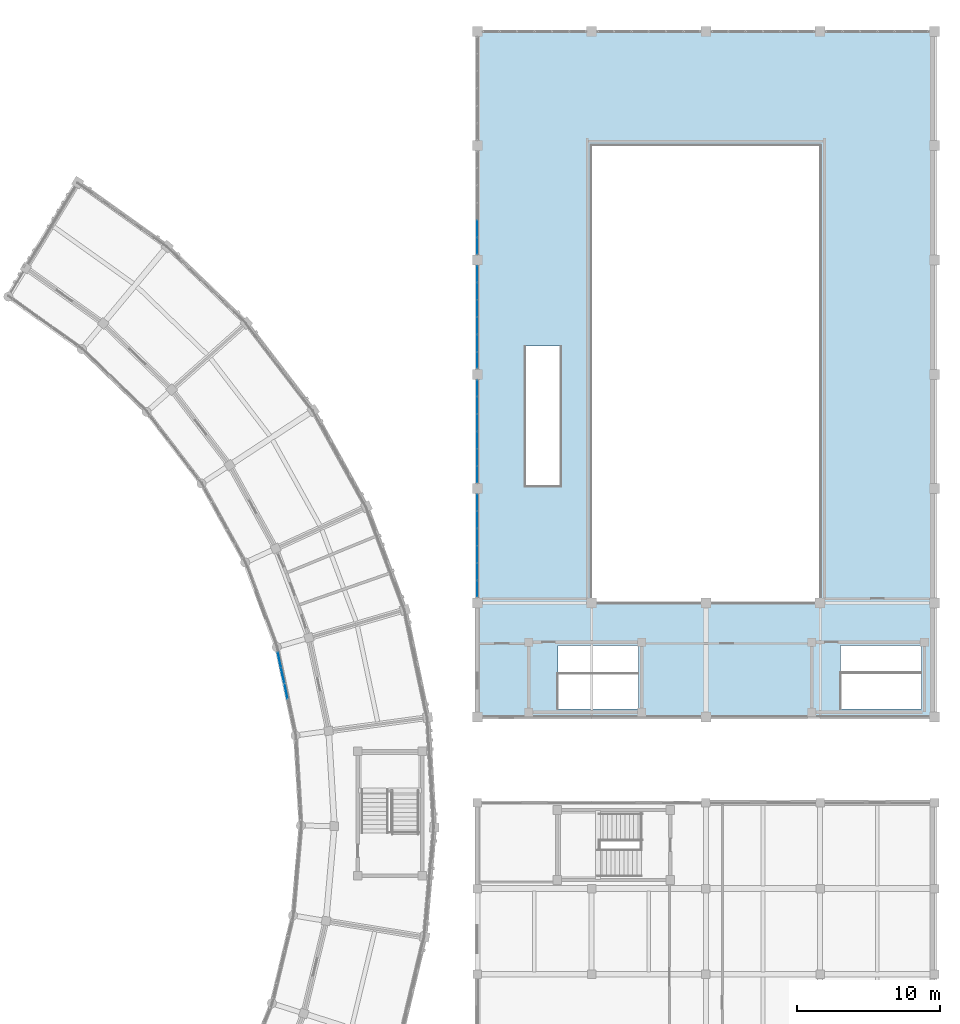
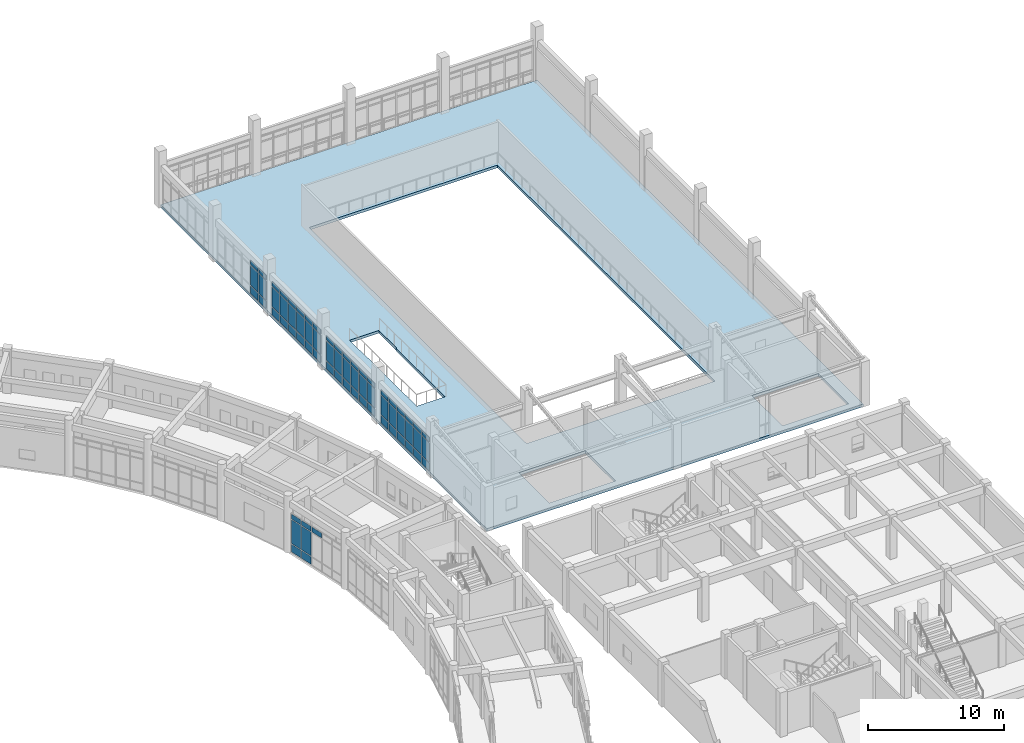
# One storey, part 113 of 159: 67 plates, 1 slab, 5 elements without a shape of their own.
"""IFC4 building model written with IfcOpenShell, lengths in metres."""

from ifc_helpers import new_model, si_unit, direction, frame, origin, origin_2d, place, context, subcontext, project, spatial, polyline, rectangle, outline, extrude, material, layer, layer_set, type_object, element, aggregate, save


model = new_model("IFC4")

# Units and contexts
model_context = context("Model", 3, precision=1e-05, world=origin(), true_north=direction((0.0, 1.0)))
body_context = subcontext(model_context, "Body", "Model", "MODEL_VIEW")
ifc_project = project(units=[si_unit("LENGTHUNIT", "METRE"), si_unit("AREAUNIT", "SQUARE_METRE"), si_unit("VOLUMEUNIT", "CUBIC_METRE"), si_unit("PLANEANGLEUNIT", "RADIAN"), si_unit("MASSUNIT", "GRAM", prefix="KILO")], contexts=[model_context])

# Site, building, storey
site_placement = place(None, origin())
site = spatial("IfcSite", under=ifc_project, at=site_placement, CompositionType="ELEMENT")
building_placement = place(site_placement, origin())
building = spatial("IfcBuilding", under=site, at=building_placement, Name="Celadon Cloister-Ring School", CompositionType="ELEMENT")
storey_placement = place(building_placement, frame((0.0, 0.0, 4.5)))
storey = spatial("IfcBuildingStorey", under=building, at=storey_placement, Name="L01", CompositionType="ELEMENT", Elevation=4.5)

# Curtain wall, plates
ifc_material_1 = material(Name="Aluminium EN AW-6063 T6", Category="aluminium")
curtain_wall_type_1 = type_object("IfcCurtainWallType", Name="CW-09", PredefinedType="USERDEFINED", material=ifc_material_1)
curtain_wall_1_placement = place(storey_placement, origin())
curtain_wall_1 = element("IfcCurtainWall", 1, at=curtain_wall_1_placement, inside=storey, type_object=curtain_wall_type_1, Name="Curtain Wall 0184", ObjectType="CURTAIN WALL", PredefinedType="USERDEFINED")
ifc_material_2 = material(Name="Tempered laminated insulating glass", Category="glass")
ifc_layer_1 = layer(ifc_material_2, 0.02001953125)
ifc_layer_set_1 = layer_set([ifc_layer_1], Name="Tempered laminated insulating glass")
plate_type_1 = type_object("IfcPlateType", Name="CPN-01", PredefinedType="CURTAIN_PANEL", material=ifc_layer_set_1)
plate_1_placement = place(storey_placement, frame((142.0, 74.982177734375, 0.090087890625), z_axis=(0.0, 0.0, 1.0), x_axis=(0.0, 1.0, 0.0)))
plate_1 = element("IfcPlate", 2, at=plate_1_placement, type_object=plate_type_1, Name="CW-09 panel 1.1", PredefinedType="CURTAIN_PANEL", context=body_context, shape_type="SweptSolid", body=[
    extrude(rectangle(XDim=1.07421875, YDim=0.02001953125, at=origin_2d()), origin(), (0.0, 0.0, 1.0), 0.6650390625),
])
plate_2_placement = place(storey_placement, frame((142.0, 74.982177734375, 0.844970703125), z_axis=(0.0, 0.0, 1.0), x_axis=(0.0, 1.0, 0.0)))
plate_2 = element("IfcPlate", 3, at=plate_2_placement, type_object=plate_type_1, Name="CW-09 panel 1.2", PredefinedType="CURTAIN_PANEL", context=body_context, shape_type="SweptSolid", body=[
    extrude(rectangle(XDim=1.07421875, YDim=0.02001953125, at=origin_2d()), origin(), (0.0, 0.0, 1.0), 1.73193359375),
])
plate_3_placement = place(storey_placement, frame((142.0, 74.982177734375, 2.6669921875), z_axis=(0.0, 0.0, 1.0), x_axis=(0.0, 1.0, 0.0)))
plate_3 = element("IfcPlate", 4, at=plate_3_placement, type_object=plate_type_1, Name="CW-09 panel 1.3", PredefinedType="CURTAIN_PANEL", context=body_context, shape_type="SweptSolid", body=[
    extrude(rectangle(XDim=1.07421875, YDim=0.02001953125, at=origin_2d()), origin(), (0.0, 0.0, 1.0), 0.4150390625),
])
plate_4_placement = place(storey_placement, frame((142.0, 76.175048828125, 0.090087890625), z_axis=(0.0, 0.0, 1.0), x_axis=(0.0, 1.0, 0.0)))
plate_4 = element("IfcPlate", 5, at=plate_4_placement, type_object=plate_type_1, Name="CW-09 panel 2.1", PredefinedType="CURTAIN_PANEL", context=body_context, shape_type="SweptSolid", body=[
    extrude(rectangle(XDim=1.12158203125, YDim=0.02001953125, at=origin_2d()), origin(), (0.0, 0.0, 1.0), 0.6650390625),
])
plate_5_placement = place(storey_placement, frame((142.0, 76.175048828125, 0.844970703125), z_axis=(0.0, 0.0, 1.0), x_axis=(0.0, 1.0, 0.0)))
plate_5 = element("IfcPlate", 6, at=plate_5_placement, type_object=plate_type_1, Name="CW-09 panel 2.2", PredefinedType="CURTAIN_PANEL", context=body_context, shape_type="SweptSolid", body=[
    extrude(rectangle(XDim=1.12158203125, YDim=0.02001953125, at=origin_2d()), origin(), (0.0, 0.0, 1.0), 1.73193359375),
])
plate_6_placement = place(storey_placement, frame((142.0, 76.175048828125, 2.6669921875), z_axis=(0.0, 0.0, 1.0), x_axis=(0.0, 1.0, 0.0)))
plate_6 = element("IfcPlate", 7, at=plate_6_placement, type_object=plate_type_1, Name="CW-09 panel 2.3", PredefinedType="CURTAIN_PANEL", context=body_context, shape_type="SweptSolid", body=[
    extrude(rectangle(XDim=1.12158203125, YDim=0.02001953125, at=origin_2d()), origin(), (0.0, 0.0, 1.0), 0.4150390625),
])
plate_7_placement = place(storey_placement, frame((142.0, 77.3916015625, 0.090087890625), z_axis=(0.0, 0.0, 1.0), x_axis=(0.0, 1.0, 0.0)))
plate_7 = element("IfcPlate", 8, at=plate_7_placement, type_object=plate_type_1, Name="CW-09 panel 3.1", PredefinedType="CURTAIN_PANEL", context=body_context, shape_type="SweptSolid", body=[
    extrude(rectangle(XDim=1.12158203125, YDim=0.02001953125, at=origin_2d()), origin(), (0.0, 0.0, 1.0), 0.6650390625),
])
plate_8_placement = place(storey_placement, frame((142.0, 77.3916015625, 0.844970703125), z_axis=(0.0, 0.0, 1.0), x_axis=(0.0, 1.0, 0.0)))
plate_8 = element("IfcPlate", 9, at=plate_8_placement, type_object=plate_type_1, Name="CW-09 panel 3.2", PredefinedType="CURTAIN_PANEL", context=body_context, shape_type="SweptSolid", body=[
    extrude(rectangle(XDim=1.12158203125, YDim=0.02001953125, at=origin_2d()), origin(), (0.0, 0.0, 1.0), 1.73193359375),
])
plate_9_placement = place(storey_placement, frame((142.0, 77.3916015625, 2.6669921875), z_axis=(0.0, 0.0, 1.0), x_axis=(0.0, 1.0, 0.0)))
plate_9 = element("IfcPlate", 10, at=plate_9_placement, type_object=plate_type_1, Name="CW-09 panel 3.3", PredefinedType="CURTAIN_PANEL", context=body_context, shape_type="SweptSolid", body=[
    extrude(rectangle(XDim=1.12158203125, YDim=0.02001953125, at=origin_2d()), origin(), (0.0, 0.0, 1.0), 0.4150390625),
])
plate_10_placement = place(storey_placement, frame((142.0, 78.6083984375, 0.090087890625), z_axis=(0.0, 0.0, 1.0), x_axis=(0.0, 1.0, 0.0)))
plate_10 = element("IfcPlate", 11, at=plate_10_placement, type_object=plate_type_1, Name="CW-09 panel 4.1", PredefinedType="CURTAIN_PANEL", context=body_context, shape_type="SweptSolid", body=[
    extrude(rectangle(XDim=1.12158203125, YDim=0.02001953125, at=origin_2d()), origin(), (0.0, 0.0, 1.0), 0.6650390625),
])
plate_11_placement = place(storey_placement, frame((142.0, 78.6083984375, 0.844970703125), z_axis=(0.0, 0.0, 1.0), x_axis=(0.0, 1.0, 0.0)))
plate_11 = element("IfcPlate", 12, at=plate_11_placement, type_object=plate_type_1, Name="CW-09 panel 4.2", PredefinedType="CURTAIN_PANEL", context=body_context, shape_type="SweptSolid", body=[
    extrude(rectangle(XDim=1.12158203125, YDim=0.02001953125, at=origin_2d()), origin(), (0.0, 0.0, 1.0), 1.73193359375),
])
plate_12_placement = place(storey_placement, frame((142.0, 78.6083984375, 2.6669921875), z_axis=(0.0, 0.0, 1.0), x_axis=(0.0, 1.0, 0.0)))
plate_12 = element("IfcPlate", 13, at=plate_12_placement, type_object=plate_type_1, Name="CW-09 panel 4.3", PredefinedType="CURTAIN_PANEL", context=body_context, shape_type="SweptSolid", body=[
    extrude(rectangle(XDim=1.12158203125, YDim=0.02001953125, at=origin_2d()), origin(), (0.0, 0.0, 1.0), 0.4150390625),
])
plate_13_placement = place(storey_placement, frame((142.0, 79.824951171875, 0.090087890625), z_axis=(0.0, 0.0, 1.0), x_axis=(0.0, 1.0, 0.0)))
plate_13 = element("IfcPlate", 14, at=plate_13_placement, type_object=plate_type_1, Name="CW-09 panel 5.1", PredefinedType="CURTAIN_PANEL", context=body_context, shape_type="SweptSolid", body=[
    extrude(rectangle(XDim=1.12158203125, YDim=0.02001953125, at=origin_2d()), origin(), (0.0, 0.0, 1.0), 0.6650390625),
])
plate_14_placement = place(storey_placement, frame((142.0, 79.824951171875, 0.844970703125), z_axis=(0.0, 0.0, 1.0), x_axis=(0.0, 1.0, 0.0)))
plate_14 = element("IfcPlate", 15, at=plate_14_placement, type_object=plate_type_1, Name="CW-09 panel 5.2", PredefinedType="CURTAIN_PANEL", context=body_context, shape_type="SweptSolid", body=[
    extrude(rectangle(XDim=1.12158203125, YDim=0.02001953125, at=origin_2d()), origin(), (0.0, 0.0, 1.0), 1.73193359375),
])
plate_15_placement = place(storey_placement, frame((142.0, 79.824951171875, 2.6669921875), z_axis=(0.0, 0.0, 1.0), x_axis=(0.0, 1.0, 0.0)))
plate_15 = element("IfcPlate", 16, at=plate_15_placement, type_object=plate_type_1, Name="CW-09 panel 5.3", PredefinedType="CURTAIN_PANEL", context=body_context, shape_type="SweptSolid", body=[
    extrude(rectangle(XDim=1.12158203125, YDim=0.02001953125, at=origin_2d()), origin(), (0.0, 0.0, 1.0), 0.4150390625),
])
plate_16_placement = place(storey_placement, frame((142.0, 81.017822265625, 0.090087890625), z_axis=(0.0, 0.0, 1.0), x_axis=(0.0, 1.0, 0.0)))
plate_16 = element("IfcPlate", 17, at=plate_16_placement, type_object=plate_type_1, Name="CW-09 panel 6.1", PredefinedType="CURTAIN_PANEL", context=body_context, shape_type="SweptSolid", body=[
    extrude(rectangle(XDim=1.07421875, YDim=0.02001953125, at=origin_2d()), origin(), (0.0, 0.0, 1.0), 0.6650390625),
])
plate_17_placement = place(storey_placement, frame((142.0, 81.017822265625, 0.844970703125), z_axis=(0.0, 0.0, 1.0), x_axis=(0.0, 1.0, 0.0)))
plate_17 = element("IfcPlate", 18, at=plate_17_placement, type_object=plate_type_1, Name="CW-09 panel 6.2", PredefinedType="CURTAIN_PANEL", context=body_context, shape_type="SweptSolid", body=[
    extrude(rectangle(XDim=1.07421875, YDim=0.02001953125, at=origin_2d()), origin(), (0.0, 0.0, 1.0), 1.73193359375),
])
plate_18_placement = place(storey_placement, frame((142.0, 81.017822265625, 2.6669921875), z_axis=(0.0, 0.0, 1.0), x_axis=(0.0, 1.0, 0.0)))
plate_18 = element("IfcPlate", 19, at=plate_18_placement, type_object=plate_type_1, Name="CW-09 panel 6.3", PredefinedType="CURTAIN_PANEL", context=body_context, shape_type="SweptSolid", body=[
    extrude(rectangle(XDim=1.07421875, YDim=0.02001953125, at=origin_2d()), origin(), (0.0, 0.0, 1.0), 0.4150390625),
])
aggregate(curtain_wall_1, [plate_1, plate_2, plate_3, plate_4, plate_5, plate_6, plate_7, plate_8, plate_9, plate_10, plate_11, plate_12, plate_13, plate_14, plate_15, plate_16, plate_17, plate_18])

curtain_wall_2_placement = place(storey_placement, origin())
curtain_wall_2 = element("IfcCurtainWall", 20, at=curtain_wall_2_placement, inside=storey, type_object=curtain_wall_type_1, Name="Curtain Wall 0185", ObjectType="CURTAIN WALL", PredefinedType="USERDEFINED")
plate_19_placement = place(storey_placement, frame((142.0, 82.982177734375, 0.090087890625), z_axis=(0.0, 0.0, 1.0), x_axis=(0.0, 1.0, 0.0)))
plate_19 = element("IfcPlate", 21, at=plate_19_placement, type_object=plate_type_1, Name="CW-09 panel 1.1", PredefinedType="CURTAIN_PANEL", context=body_context, shape_type="SweptSolid", body=[
    extrude(rectangle(XDim=1.07421875, YDim=0.02001953125, at=origin_2d()), origin(), (0.0, 0.0, 1.0), 0.6650390625),
])
plate_20_placement = place(storey_placement, frame((142.0, 82.982177734375, 0.844970703125), z_axis=(0.0, 0.0, 1.0), x_axis=(0.0, 1.0, 0.0)))
plate_20 = element("IfcPlate", 22, at=plate_20_placement, type_object=plate_type_1, Name="CW-09 panel 1.2", PredefinedType="CURTAIN_PANEL", context=body_context, shape_type="SweptSolid", body=[
    extrude(rectangle(XDim=1.07421875, YDim=0.02001953125, at=origin_2d()), origin(), (0.0, 0.0, 1.0), 1.73193359375),
])
plate_21_placement = place(storey_placement, frame((142.0, 82.982177734375, 2.6669921875), z_axis=(0.0, 0.0, 1.0), x_axis=(0.0, 1.0, 0.0)))
plate_21 = element("IfcPlate", 23, at=plate_21_placement, type_object=plate_type_1, Name="CW-09 panel 1.3", PredefinedType="CURTAIN_PANEL", context=body_context, shape_type="SweptSolid", body=[
    extrude(rectangle(XDim=1.07421875, YDim=0.02001953125, at=origin_2d()), origin(), (0.0, 0.0, 1.0), 0.4150390625),
])
plate_22_placement = place(storey_placement, frame((142.0, 84.175048828125, 0.090087890625), z_axis=(0.0, 0.0, 1.0), x_axis=(0.0, 1.0, 0.0)))
plate_22 = element("IfcPlate", 24, at=plate_22_placement, type_object=plate_type_1, Name="CW-09 panel 2.1", PredefinedType="CURTAIN_PANEL", context=body_context, shape_type="SweptSolid", body=[
    extrude(rectangle(XDim=1.12158203125, YDim=0.02001953125, at=origin_2d()), origin(), (0.0, 0.0, 1.0), 0.6650390625),
])
plate_23_placement = place(storey_placement, frame((142.0, 84.175048828125, 0.844970703125), z_axis=(0.0, 0.0, 1.0), x_axis=(0.0, 1.0, 0.0)))
plate_23 = element("IfcPlate", 25, at=plate_23_placement, type_object=plate_type_1, Name="CW-09 panel 2.2", PredefinedType="CURTAIN_PANEL", context=body_context, shape_type="SweptSolid", body=[
    extrude(rectangle(XDim=1.12158203125, YDim=0.02001953125, at=origin_2d()), origin(), (0.0, 0.0, 1.0), 1.73193359375),
])
plate_24_placement = place(storey_placement, frame((142.0, 84.175048828125, 2.6669921875), z_axis=(0.0, 0.0, 1.0), x_axis=(0.0, 1.0, 0.0)))
plate_24 = element("IfcPlate", 26, at=plate_24_placement, type_object=plate_type_1, Name="CW-09 panel 2.3", PredefinedType="CURTAIN_PANEL", context=body_context, shape_type="SweptSolid", body=[
    extrude(rectangle(XDim=1.12158203125, YDim=0.02001953125, at=origin_2d()), origin(), (0.0, 0.0, 1.0), 0.4150390625),
])
plate_25_placement = place(storey_placement, frame((142.0, 85.3916015625, 0.090087890625), z_axis=(0.0, 0.0, 1.0), x_axis=(0.0, 1.0, 0.0)))
plate_25 = element("IfcPlate", 27, at=plate_25_placement, type_object=plate_type_1, Name="CW-09 panel 3.1", PredefinedType="CURTAIN_PANEL", context=body_context, shape_type="SweptSolid", body=[
    extrude(rectangle(XDim=1.12158203125, YDim=0.02001953125, at=origin_2d()), origin(), (0.0, 0.0, 1.0), 0.6650390625),
])
plate_26_placement = place(storey_placement, frame((142.0, 85.3916015625, 0.844970703125), z_axis=(0.0, 0.0, 1.0), x_axis=(0.0, 1.0, 0.0)))
plate_26 = element("IfcPlate", 28, at=plate_26_placement, type_object=plate_type_1, Name="CW-09 panel 3.2", PredefinedType="CURTAIN_PANEL", context=body_context, shape_type="SweptSolid", body=[
    extrude(rectangle(XDim=1.12158203125, YDim=0.02001953125, at=origin_2d()), origin(), (0.0, 0.0, 1.0), 1.73193359375),
])
plate_27_placement = place(storey_placement, frame((142.0, 85.3916015625, 2.6669921875), z_axis=(0.0, 0.0, 1.0), x_axis=(0.0, 1.0, 0.0)))
plate_27 = element("IfcPlate", 29, at=plate_27_placement, type_object=plate_type_1, Name="CW-09 panel 3.3", PredefinedType="CURTAIN_PANEL", context=body_context, shape_type="SweptSolid", body=[
    extrude(rectangle(XDim=1.12158203125, YDim=0.02001953125, at=origin_2d()), origin(), (0.0, 0.0, 1.0), 0.4150390625),
])
plate_28_placement = place(storey_placement, frame((142.0, 86.6083984375, 0.090087890625), z_axis=(0.0, 0.0, 1.0), x_axis=(0.0, 1.0, 0.0)))
plate_28 = element("IfcPlate", 30, at=plate_28_placement, type_object=plate_type_1, Name="CW-09 panel 4.1", PredefinedType="CURTAIN_PANEL", context=body_context, shape_type="SweptSolid", body=[
    extrude(rectangle(XDim=1.12158203125, YDim=0.02001953125, at=origin_2d()), origin(), (0.0, 0.0, 1.0), 0.6650390625),
])
plate_29_placement = place(storey_placement, frame((142.0, 86.6083984375, 0.844970703125), z_axis=(0.0, 0.0, 1.0), x_axis=(0.0, 1.0, 0.0)))
plate_29 = element("IfcPlate", 31, at=plate_29_placement, type_object=plate_type_1, Name="CW-09 panel 4.2", PredefinedType="CURTAIN_PANEL", context=body_context, shape_type="SweptSolid", body=[
    extrude(rectangle(XDim=1.12158203125, YDim=0.02001953125, at=origin_2d()), origin(), (0.0, 0.0, 1.0), 1.73193359375),
])
plate_30_placement = place(storey_placement, frame((142.0, 86.6083984375, 2.6669921875), z_axis=(0.0, 0.0, 1.0), x_axis=(0.0, 1.0, 0.0)))
plate_30 = element("IfcPlate", 32, at=plate_30_placement, type_object=plate_type_1, Name="CW-09 panel 4.3", PredefinedType="CURTAIN_PANEL", context=body_context, shape_type="SweptSolid", body=[
    extrude(rectangle(XDim=1.12158203125, YDim=0.02001953125, at=origin_2d()), origin(), (0.0, 0.0, 1.0), 0.4150390625),
])
plate_31_placement = place(storey_placement, frame((142.0, 87.824951171875, 0.090087890625), z_axis=(0.0, 0.0, 1.0), x_axis=(0.0, 1.0, 0.0)))
plate_31 = element("IfcPlate", 33, at=plate_31_placement, type_object=plate_type_1, Name="CW-09 panel 5.1", PredefinedType="CURTAIN_PANEL", context=body_context, shape_type="SweptSolid", body=[
    extrude(rectangle(XDim=1.12158203125, YDim=0.02001953125, at=origin_2d()), origin(), (0.0, 0.0, 1.0), 0.6650390625),
])
plate_32_placement = place(storey_placement, frame((142.0, 87.824951171875, 0.844970703125), z_axis=(0.0, 0.0, 1.0), x_axis=(0.0, 1.0, 0.0)))
plate_32 = element("IfcPlate", 34, at=plate_32_placement, type_object=plate_type_1, Name="CW-09 panel 5.2", PredefinedType="CURTAIN_PANEL", context=body_context, shape_type="SweptSolid", body=[
    extrude(rectangle(XDim=1.12158203125, YDim=0.02001953125, at=origin_2d()), origin(), (0.0, 0.0, 1.0), 1.73193359375),
])
plate_33_placement = place(storey_placement, frame((142.0, 87.824951171875, 2.6669921875), z_axis=(0.0, 0.0, 1.0), x_axis=(0.0, 1.0, 0.0)))
plate_33 = element("IfcPlate", 35, at=plate_33_placement, type_object=plate_type_1, Name="CW-09 panel 5.3", PredefinedType="CURTAIN_PANEL", context=body_context, shape_type="SweptSolid", body=[
    extrude(rectangle(XDim=1.12158203125, YDim=0.02001953125, at=origin_2d()), origin(), (0.0, 0.0, 1.0), 0.4150390625),
])
plate_34_placement = place(storey_placement, frame((142.0, 89.017822265625, 0.090087890625), z_axis=(0.0, 0.0, 1.0), x_axis=(0.0, 1.0, 0.0)))
plate_34 = element("IfcPlate", 36, at=plate_34_placement, type_object=plate_type_1, Name="CW-09 panel 6.1", PredefinedType="CURTAIN_PANEL", context=body_context, shape_type="SweptSolid", body=[
    extrude(rectangle(XDim=1.07421875, YDim=0.02001953125, at=origin_2d()), origin(), (0.0, 0.0, 1.0), 0.6650390625),
])
plate_35_placement = place(storey_placement, frame((142.0, 89.017822265625, 0.844970703125), z_axis=(0.0, 0.0, 1.0), x_axis=(0.0, 1.0, 0.0)))
plate_35 = element("IfcPlate", 37, at=plate_35_placement, type_object=plate_type_1, Name="CW-09 panel 6.2", PredefinedType="CURTAIN_PANEL", context=body_context, shape_type="SweptSolid", body=[
    extrude(rectangle(XDim=1.07421875, YDim=0.02001953125, at=origin_2d()), origin(), (0.0, 0.0, 1.0), 1.73193359375),
])
plate_36_placement = place(storey_placement, frame((142.0, 89.017822265625, 2.6669921875), z_axis=(0.0, 0.0, 1.0), x_axis=(0.0, 1.0, 0.0)))
plate_36 = element("IfcPlate", 38, at=plate_36_placement, type_object=plate_type_1, Name="CW-09 panel 6.3", PredefinedType="CURTAIN_PANEL", context=body_context, shape_type="SweptSolid", body=[
    extrude(rectangle(XDim=1.07421875, YDim=0.02001953125, at=origin_2d()), origin(), (0.0, 0.0, 1.0), 0.4150390625),
])
aggregate(curtain_wall_2, [plate_19, plate_20, plate_21, plate_22, plate_23, plate_24, plate_25, plate_26, plate_27, plate_28, plate_29, plate_30, plate_31, plate_32, plate_33, plate_34, plate_35, plate_36])

curtain_wall_3_placement = place(storey_placement, origin())
curtain_wall_3 = element("IfcCurtainWall", 39, at=curtain_wall_3_placement, inside=storey, type_object=curtain_wall_type_1, Name="Curtain Wall 0186", ObjectType="CURTAIN WALL", PredefinedType="USERDEFINED")
plate_37_placement = place(storey_placement, frame((142.0, 90.982177734375, 0.090087890625), z_axis=(0.0, 0.0, 1.0), x_axis=(0.0, 1.0, 0.0)))
plate_37 = element("IfcPlate", 40, at=plate_37_placement, type_object=plate_type_1, Name="CW-09 panel 1.1", PredefinedType="CURTAIN_PANEL", context=body_context, shape_type="SweptSolid", body=[
    extrude(rectangle(XDim=1.07421875, YDim=0.02001953125, at=origin_2d()), origin(), (0.0, 0.0, 1.0), 0.6650390625),
])
plate_38_placement = place(storey_placement, frame((142.0, 90.982177734375, 0.844970703125), z_axis=(0.0, 0.0, 1.0), x_axis=(0.0, 1.0, 0.0)))
plate_38 = element("IfcPlate", 41, at=plate_38_placement, type_object=plate_type_1, Name="CW-09 panel 1.2", PredefinedType="CURTAIN_PANEL", context=body_context, shape_type="SweptSolid", body=[
    extrude(rectangle(XDim=1.07421875, YDim=0.02001953125, at=origin_2d()), origin(), (0.0, 0.0, 1.0), 1.73193359375),
])
plate_39_placement = place(storey_placement, frame((142.0, 90.982177734375, 2.6669921875), z_axis=(0.0, 0.0, 1.0), x_axis=(0.0, 1.0, 0.0)))
plate_39 = element("IfcPlate", 42, at=plate_39_placement, type_object=plate_type_1, Name="CW-09 panel 1.3", PredefinedType="CURTAIN_PANEL", context=body_context, shape_type="SweptSolid", body=[
    extrude(rectangle(XDim=1.07421875, YDim=0.02001953125, at=origin_2d()), origin(), (0.0, 0.0, 1.0), 0.4150390625),
])
plate_40_placement = place(storey_placement, frame((142.0, 92.175048828125, 0.090087890625), z_axis=(0.0, 0.0, 1.0), x_axis=(0.0, 1.0, 0.0)))
plate_40 = element("IfcPlate", 43, at=plate_40_placement, type_object=plate_type_1, Name="CW-09 panel 2.1", PredefinedType="CURTAIN_PANEL", context=body_context, shape_type="SweptSolid", body=[
    extrude(rectangle(XDim=1.12158203125, YDim=0.02001953125, at=origin_2d()), origin(), (0.0, 0.0, 1.0), 0.6650390625),
])
plate_41_placement = place(storey_placement, frame((142.0, 92.175048828125, 0.844970703125), z_axis=(0.0, 0.0, 1.0), x_axis=(0.0, 1.0, 0.0)))
plate_41 = element("IfcPlate", 44, at=plate_41_placement, type_object=plate_type_1, Name="CW-09 panel 2.2", PredefinedType="CURTAIN_PANEL", context=body_context, shape_type="SweptSolid", body=[
    extrude(rectangle(XDim=1.12158203125, YDim=0.02001953125, at=origin_2d()), origin(), (0.0, 0.0, 1.0), 1.73193359375),
])
plate_42_placement = place(storey_placement, frame((142.0, 92.175048828125, 2.6669921875), z_axis=(0.0, 0.0, 1.0), x_axis=(0.0, 1.0, 0.0)))
plate_42 = element("IfcPlate", 45, at=plate_42_placement, type_object=plate_type_1, Name="CW-09 panel 2.3", PredefinedType="CURTAIN_PANEL", context=body_context, shape_type="SweptSolid", body=[
    extrude(rectangle(XDim=1.12158203125, YDim=0.02001953125, at=origin_2d()), origin(), (0.0, 0.0, 1.0), 0.4150390625),
])
plate_43_placement = place(storey_placement, frame((142.0, 93.3916015625, 0.090087890625), z_axis=(0.0, 0.0, 1.0), x_axis=(0.0, 1.0, 0.0)))
plate_43 = element("IfcPlate", 46, at=plate_43_placement, type_object=plate_type_1, Name="CW-09 panel 3.1", PredefinedType="CURTAIN_PANEL", context=body_context, shape_type="SweptSolid", body=[
    extrude(rectangle(XDim=1.12158203125, YDim=0.02001953125, at=origin_2d()), origin(), (0.0, 0.0, 1.0), 0.6650390625),
])
plate_44_placement = place(storey_placement, frame((142.0, 93.3916015625, 0.844970703125), z_axis=(0.0, 0.0, 1.0), x_axis=(0.0, 1.0, 0.0)))
plate_44 = element("IfcPlate", 47, at=plate_44_placement, type_object=plate_type_1, Name="CW-09 panel 3.2", PredefinedType="CURTAIN_PANEL", context=body_context, shape_type="SweptSolid", body=[
    extrude(rectangle(XDim=1.12158203125, YDim=0.02001953125, at=origin_2d()), origin(), (0.0, 0.0, 1.0), 1.73193359375),
])
plate_45_placement = place(storey_placement, frame((142.0, 93.3916015625, 2.6669921875), z_axis=(0.0, 0.0, 1.0), x_axis=(0.0, 1.0, 0.0)))
plate_45 = element("IfcPlate", 48, at=plate_45_placement, type_object=plate_type_1, Name="CW-09 panel 3.3", PredefinedType="CURTAIN_PANEL", context=body_context, shape_type="SweptSolid", body=[
    extrude(rectangle(XDim=1.12158203125, YDim=0.02001953125, at=origin_2d()), origin(), (0.0, 0.0, 1.0), 0.4150390625),
])
plate_46_placement = place(storey_placement, frame((142.0, 94.6083984375, 0.090087890625), z_axis=(0.0, 0.0, 1.0), x_axis=(0.0, 1.0, 0.0)))
plate_46 = element("IfcPlate", 49, at=plate_46_placement, type_object=plate_type_1, Name="CW-09 panel 4.1", PredefinedType="CURTAIN_PANEL", context=body_context, shape_type="SweptSolid", body=[
    extrude(rectangle(XDim=1.12158203125, YDim=0.02001953125, at=origin_2d()), origin(), (0.0, 0.0, 1.0), 0.6650390625),
])
plate_47_placement = place(storey_placement, frame((142.0, 94.6083984375, 0.844970703125), z_axis=(0.0, 0.0, 1.0), x_axis=(0.0, 1.0, 0.0)))
plate_47 = element("IfcPlate", 50, at=plate_47_placement, type_object=plate_type_1, Name="CW-09 panel 4.2", PredefinedType="CURTAIN_PANEL", context=body_context, shape_type="SweptSolid", body=[
    extrude(rectangle(XDim=1.12158203125, YDim=0.02001953125, at=origin_2d()), origin(), (0.0, 0.0, 1.0), 1.73193359375),
])
plate_48_placement = place(storey_placement, frame((142.0, 94.6083984375, 2.6669921875), z_axis=(0.0, 0.0, 1.0), x_axis=(0.0, 1.0, 0.0)))
plate_48 = element("IfcPlate", 51, at=plate_48_placement, type_object=plate_type_1, Name="CW-09 panel 4.3", PredefinedType="CURTAIN_PANEL", context=body_context, shape_type="SweptSolid", body=[
    extrude(rectangle(XDim=1.12158203125, YDim=0.02001953125, at=origin_2d()), origin(), (0.0, 0.0, 1.0), 0.4150390625),
])
plate_49_placement = place(storey_placement, frame((142.0, 95.824951171875, 0.090087890625), z_axis=(0.0, 0.0, 1.0), x_axis=(0.0, 1.0, 0.0)))
plate_49 = element("IfcPlate", 52, at=plate_49_placement, type_object=plate_type_1, Name="CW-09 panel 5.1", PredefinedType="CURTAIN_PANEL", context=body_context, shape_type="SweptSolid", body=[
    extrude(rectangle(XDim=1.12158203125, YDim=0.02001953125, at=origin_2d()), origin(), (0.0, 0.0, 1.0), 0.6650390625),
])
plate_50_placement = place(storey_placement, frame((142.0, 95.824951171875, 0.844970703125), z_axis=(0.0, 0.0, 1.0), x_axis=(0.0, 1.0, 0.0)))
plate_50 = element("IfcPlate", 53, at=plate_50_placement, type_object=plate_type_1, Name="CW-09 panel 5.2", PredefinedType="CURTAIN_PANEL", context=body_context, shape_type="SweptSolid", body=[
    extrude(rectangle(XDim=1.12158203125, YDim=0.02001953125, at=origin_2d()), origin(), (0.0, 0.0, 1.0), 1.73193359375),
])
plate_51_placement = place(storey_placement, frame((142.0, 95.824951171875, 2.6669921875), z_axis=(0.0, 0.0, 1.0), x_axis=(0.0, 1.0, 0.0)))
plate_51 = element("IfcPlate", 54, at=plate_51_placement, type_object=plate_type_1, Name="CW-09 panel 5.3", PredefinedType="CURTAIN_PANEL", context=body_context, shape_type="SweptSolid", body=[
    extrude(rectangle(XDim=1.12158203125, YDim=0.02001953125, at=origin_2d()), origin(), (0.0, 0.0, 1.0), 0.4150390625),
])
plate_52_placement = place(storey_placement, frame((142.0, 97.017822265625, 0.090087890625), z_axis=(0.0, 0.0, 1.0), x_axis=(0.0, 1.0, 0.0)))
plate_52 = element("IfcPlate", 55, at=plate_52_placement, type_object=plate_type_1, Name="CW-09 panel 6.1", PredefinedType="CURTAIN_PANEL", context=body_context, shape_type="SweptSolid", body=[
    extrude(rectangle(XDim=1.07421875, YDim=0.02001953125, at=origin_2d()), origin(), (0.0, 0.0, 1.0), 0.6650390625),
])
plate_53_placement = place(storey_placement, frame((142.0, 97.017822265625, 0.844970703125), z_axis=(0.0, 0.0, 1.0), x_axis=(0.0, 1.0, 0.0)))
plate_53 = element("IfcPlate", 56, at=plate_53_placement, type_object=plate_type_1, Name="CW-09 panel 6.2", PredefinedType="CURTAIN_PANEL", context=body_context, shape_type="SweptSolid", body=[
    extrude(rectangle(XDim=1.07421875, YDim=0.02001953125, at=origin_2d()), origin(), (0.0, 0.0, 1.0), 1.73193359375),
])
plate_54_placement = place(storey_placement, frame((142.0, 97.017822265625, 2.6669921875), z_axis=(0.0, 0.0, 1.0), x_axis=(0.0, 1.0, 0.0)))
plate_54 = element("IfcPlate", 57, at=plate_54_placement, type_object=plate_type_1, Name="CW-09 panel 6.3", PredefinedType="CURTAIN_PANEL", context=body_context, shape_type="SweptSolid", body=[
    extrude(rectangle(XDim=1.07421875, YDim=0.02001953125, at=origin_2d()), origin(), (0.0, 0.0, 1.0), 0.4150390625),
])
aggregate(curtain_wall_3, [plate_37, plate_38, plate_39, plate_40, plate_41, plate_42, plate_43, plate_44, plate_45, plate_46, plate_47, plate_48, plate_49, plate_50, plate_51, plate_52, plate_53, plate_54])

curtain_wall_4_placement = place(storey_placement, origin())
curtain_wall_4 = element("IfcCurtainWall", 58, at=curtain_wall_4_placement, inside=storey, type_object=curtain_wall_type_1, Name="Curtain Wall 0187", ObjectType="CURTAIN WALL", PredefinedType="USERDEFINED")
plate_55_placement = place(storey_placement, frame((142.0, 98.982177734375, 0.090087890625), z_axis=(0.0, 0.0, 1.0), x_axis=(0.0, 1.0, 0.0)))
plate_55 = element("IfcPlate", 59, at=plate_55_placement, type_object=plate_type_1, Name="CW-09 panel 1.1", PredefinedType="CURTAIN_PANEL", context=body_context, shape_type="SweptSolid", body=[
    extrude(rectangle(XDim=1.07421875, YDim=0.02001953125, at=origin_2d()), origin(), (0.0, 0.0, 1.0), 0.6650390625),
])
plate_56_placement = place(storey_placement, frame((142.0, 98.982177734375, 0.844970703125), z_axis=(0.0, 0.0, 1.0), x_axis=(0.0, 1.0, 0.0)))
plate_56 = element("IfcPlate", 60, at=plate_56_placement, type_object=plate_type_1, Name="CW-09 panel 1.2", PredefinedType="CURTAIN_PANEL", context=body_context, shape_type="SweptSolid", body=[
    extrude(rectangle(XDim=1.07421875, YDim=0.02001953125, at=origin_2d()), origin(), (0.0, 0.0, 1.0), 1.73193359375),
])
plate_57_placement = place(storey_placement, frame((142.0, 98.982177734375, 2.6669921875), z_axis=(0.0, 0.0, 1.0), x_axis=(0.0, 1.0, 0.0)))
plate_57 = element("IfcPlate", 61, at=plate_57_placement, type_object=plate_type_1, Name="CW-09 panel 1.3", PredefinedType="CURTAIN_PANEL", context=body_context, shape_type="SweptSolid", body=[
    extrude(rectangle(XDim=1.07421875, YDim=0.02001953125, at=origin_2d()), origin(), (0.0, 0.0, 1.0), 0.4150390625),
])
plate_58_placement = place(storey_placement, frame((142.0, 100.175048828125, 0.090087890625), z_axis=(0.0, 0.0, 1.0), x_axis=(0.0, 1.0, 0.0)))
plate_58 = element("IfcPlate", 62, at=plate_58_placement, type_object=plate_type_1, Name="CW-09 panel 2.1", PredefinedType="CURTAIN_PANEL", context=body_context, shape_type="SweptSolid", body=[
    extrude(rectangle(XDim=1.12158203125, YDim=0.02001953125, at=origin_2d()), origin(), (0.0, 0.0, 1.0), 0.6650390625),
])
plate_59_placement = place(storey_placement, frame((142.0, 100.175048828125, 0.844970703125), z_axis=(0.0, 0.0, 1.0), x_axis=(0.0, 1.0, 0.0)))
plate_59 = element("IfcPlate", 63, at=plate_59_placement, type_object=plate_type_1, Name="CW-09 panel 2.2", PredefinedType="CURTAIN_PANEL", context=body_context, shape_type="SweptSolid", body=[
    extrude(rectangle(XDim=1.12158203125, YDim=0.02001953125, at=origin_2d()), origin(), (0.0, 0.0, 1.0), 1.73193359375),
])
plate_60_placement = place(storey_placement, frame((142.0, 100.175048828125, 2.6669921875), z_axis=(0.0, 0.0, 1.0), x_axis=(0.0, 1.0, 0.0)))
plate_60 = element("IfcPlate", 64, at=plate_60_placement, type_object=plate_type_1, Name="CW-09 panel 2.3", PredefinedType="CURTAIN_PANEL", context=body_context, shape_type="SweptSolid", body=[
    extrude(rectangle(XDim=1.12158203125, YDim=0.02001953125, at=origin_2d()), origin(), (0.0, 0.0, 1.0), 0.4150390625),
])
aggregate(curtain_wall_4, [plate_55, plate_56, plate_57, plate_58, plate_59, plate_60])

ifc_material_3 = material(Name="Aluminium EN AW-6063 T6", Category="aluminium")
curtain_wall_type_2 = type_object("IfcCurtainWallType", Name="CW-01", PredefinedType="USERDEFINED", material=ifc_material_3)
curtain_wall_5_placement = place(storey_placement, origin())
curtain_wall_5 = element("IfcCurtainWall", 65, at=curtain_wall_5_placement, inside=storey, type_object=curtain_wall_type_2, Name="Curtain Wall 0040", ObjectType="CURTAIN WALL", PredefinedType="USERDEFINED")
ifc_material_4 = material(Name="Tempered laminated insulating glass", Category="glass")
ifc_layer_2 = layer(ifc_material_4, 0.028076171875)
ifc_layer_set_2 = layer_set([ifc_layer_2], Name="Tempered laminated insulating glass")
plate_type_2 = type_object("IfcPlateType", Name="CPN-02", PredefinedType="CURTAIN_PANEL", material=ifc_layer_set_2)
plate_61_placement = place(storey_placement, frame((128.611083984375, 67.80810546875, 3.03759765625), z_axis=(0.0, 0.0, 1.0), x_axis=(-0.207094964304, 0.978320844999, 0.0)))
plate_61 = element("IfcPlate", 66, at=plate_61_placement, type_object=plate_type_2, Name="CW-01 panel 3.3", PredefinedType="CURTAIN_PANEL", context=body_context, shape_type="SweptSolid", body=[
    extrude(rectangle(XDim=1.0537109375, YDim=0.028076171875, at=origin_2d()), origin(), (0.0, 0.0, 1.0), 0.4375),
])
plate_62_placement = place(storey_placement, frame((128.376220703125, 68.917236328125, 0.074951171875), z_axis=(0.0, 0.0, 1.0), x_axis=(-0.207094964304, 0.978320844999, 0.0)))
plate_62 = element("IfcPlate", 67, at=plate_62_placement, type_object=plate_type_2, Name="CW-01 panel 4.1", PredefinedType="CURTAIN_PANEL", context=body_context, shape_type="SweptSolid", body=[
    extrude(rectangle(XDim=1.0537109375, YDim=0.028076171875, at=origin_2d()), origin(), (0.0, 0.0, 1.0), 0.6875),
])
plate_63_placement = place(storey_placement, frame((128.376220703125, 68.917236328125, 0.83740234375), z_axis=(0.0, 0.0, 1.0), x_axis=(-0.207094964304, 0.978320844999, 0.0)))
plate_63 = element("IfcPlate", 68, at=plate_63_placement, type_object=plate_type_2, Name="CW-01 panel 4.2", PredefinedType="CURTAIN_PANEL", context=body_context, shape_type="SweptSolid", body=[
    extrude(rectangle(XDim=1.0537109375, YDim=0.028076171875, at=origin_2d()), origin(), (0.0, 0.0, 1.0), 2.125),
])
plate_64_placement = place(storey_placement, frame((128.376220703125, 68.917236328125, 3.03759765625), z_axis=(0.0, 0.0, 1.0), x_axis=(-0.207094964304, 0.978320844999, 0.0)))
plate_64 = element("IfcPlate", 69, at=plate_64_placement, type_object=plate_type_2, Name="CW-01 panel 4.3", PredefinedType="CURTAIN_PANEL", context=body_context, shape_type="SweptSolid", body=[
    extrude(rectangle(XDim=1.0537109375, YDim=0.028076171875, at=origin_2d()), origin(), (0.0, 0.0, 1.0), 0.4375),
])
plate_65_placement = place(storey_placement, frame((128.1455078125, 70.0068359375, 0.074951171875), z_axis=(0.0, 0.0, 1.0), x_axis=(-0.207094964304, 0.978320844999, 0.0)))
plate_65 = element("IfcPlate", 70, at=plate_65_placement, type_object=plate_type_2, Name="CW-01 panel 5.1", PredefinedType="CURTAIN_PANEL", context=body_context, shape_type="SweptSolid", body=[
    extrude(rectangle(XDim=1.013671875, YDim=0.028076171875, at=origin_2d()), origin(), (0.0, 0.0, 1.0), 0.6875),
])
plate_66_placement = place(storey_placement, frame((128.1455078125, 70.0068359375, 0.83740234375), z_axis=(0.0, 0.0, 1.0), x_axis=(-0.207094964304, 0.978320844999, 0.0)))
plate_66 = element("IfcPlate", 71, at=plate_66_placement, type_object=plate_type_2, Name="CW-01 panel 5.2", PredefinedType="CURTAIN_PANEL", context=body_context, shape_type="SweptSolid", body=[
    extrude(rectangle(XDim=1.013671875, YDim=0.028076171875, at=origin_2d()), origin(), (0.0, 0.0, 1.0), 2.125),
])
plate_67_placement = place(storey_placement, frame((128.1455078125, 70.0068359375, 3.03759765625), z_axis=(0.0, 0.0, 1.0), x_axis=(-0.207094964304, 0.978320844999, 0.0)))
plate_67 = element("IfcPlate", 72, at=plate_67_placement, type_object=plate_type_2, Name="CW-01 panel 5.3", PredefinedType="CURTAIN_PANEL", context=body_context, shape_type="SweptSolid", body=[
    extrude(rectangle(XDim=1.013671875, YDim=0.028076171875, at=origin_2d()), origin(), (0.0, 0.0, 1.0), 0.4375),
])
aggregate(curtain_wall_5, [plate_61, plate_62, plate_63, plate_64, plate_65, plate_66, plate_67])

# Slab
ifc_material_5 = material(Name="Concrete C35/45", Category="concrete")
ifc_layer_3 = layer(ifc_material_5, 0.239990234375)
ifc_layer_set_3 = layer_set([ifc_layer_3], Name="Concrete C35/45")
slab_type = type_object("IfcSlabType", Name="SL-FL3", PredefinedType="FLOOR", material=ifc_layer_set_3)
slab_placement = place(storey_placement, frame((0.0, 0.0, -0.239990234375)))
element("IfcSlab", 73, at=slab_placement, inside=storey, type_object=slab_type, Name="Sports Gallery Slab 0062", PredefinedType="FLOOR", context=body_context, shape_type="SweptSolid", body=[
    extrude(outline(polyline([(174.0, 114.0), (174.0, 66.0), (142.0, 66.0), (142.0, 114.0), (174.0, 114.0)]), holes=[polyline([(166.0, 106.0), (150.0, 106.0), (150.0, 74.0), (166.0, 74.0), (166.0, 106.0)]), polyline([(153.280029296875, 66.570068359375), (153.280029296875, 71.030029296875), (147.639892578125, 71.030029296875), (147.639892578125, 66.570068359375), (153.280029296875, 66.570068359375)]), polyline([(167.43994140625, 66.570068359375), (173.080078125, 66.570068359375), (173.080078125, 71.030029296875), (167.43994140625, 71.030029296875), (167.43994140625, 66.570068359375)]), polyline([(145.35498046875, 91.9951171875), (145.35498046875, 89.3701171875), (145.39990234375, 89.3701171875), (145.39990234375, 82.199951171875), (147.800048828125, 82.199951171875), (147.800048828125, 89.3701171875), (147.844970703125, 89.3701171875), (147.844970703125, 91.9951171875), (145.35498046875, 91.9951171875)])]), origin(), (0.0, 0.0, 1.0), 0.239990234375),
])

save(model, "model.ifc")
